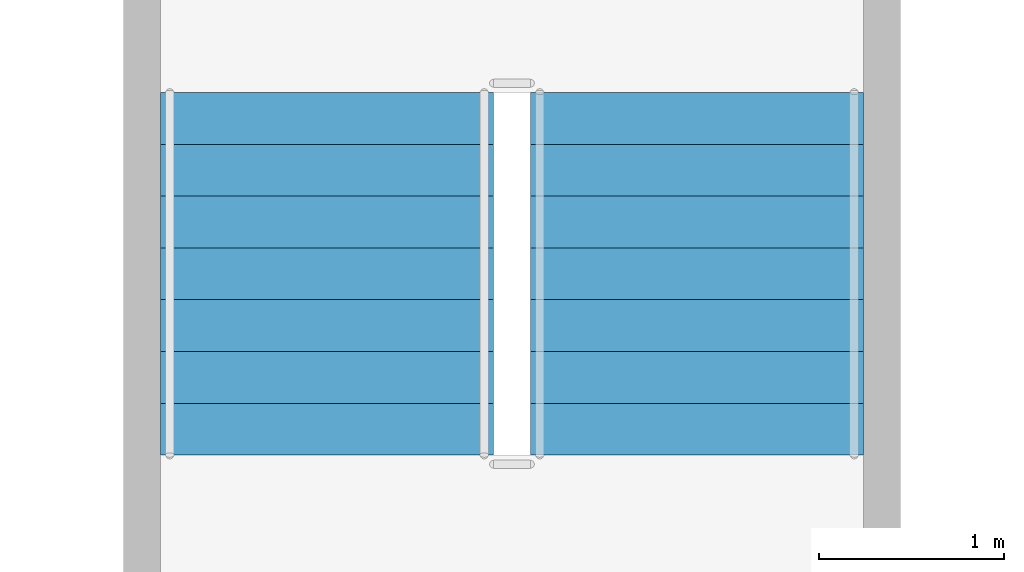
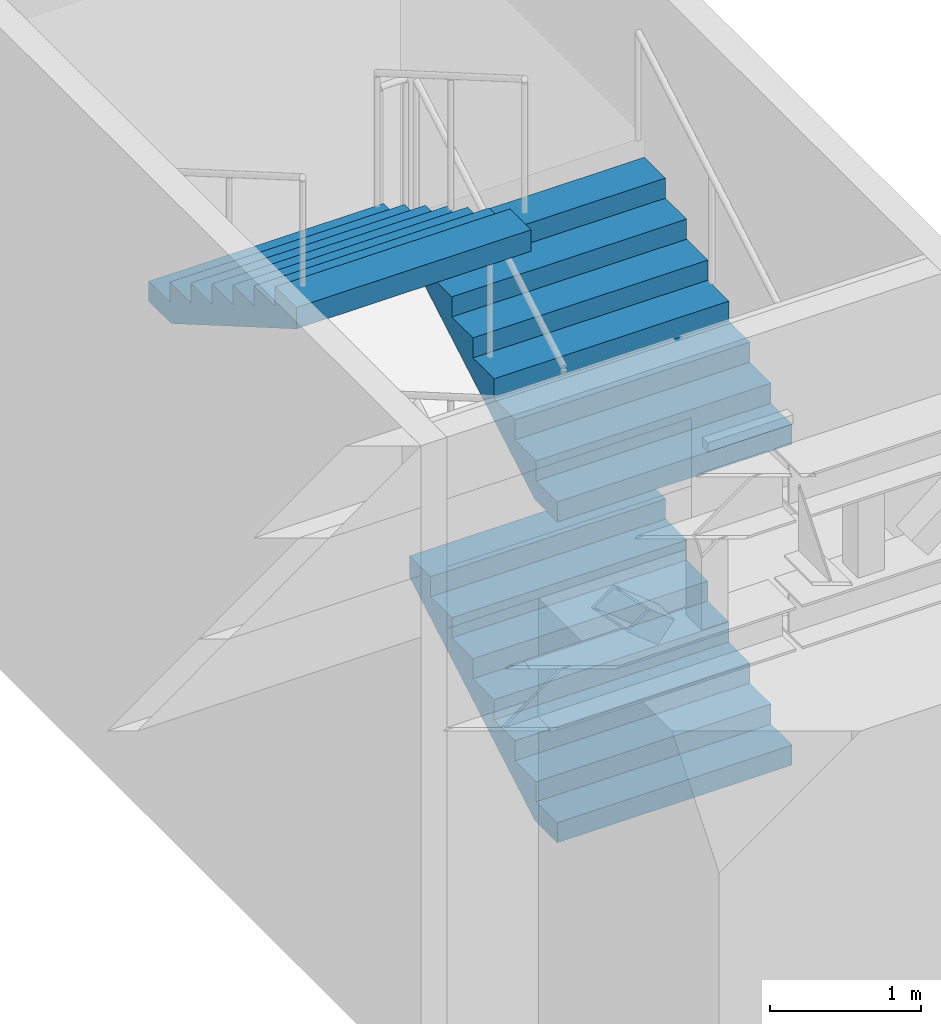
# One storey, part 73 of 93: 3 stair flights, 1 element without a shape of its own.
"""IFC4 building model written with IfcOpenShell, lengths in metres."""

from ifc_helpers import new_model, si_unit, direction, frame, origin, place, context, subcontext, project, spatial, polygons, material, type_object, element, aggregate, save


model = new_model("IFC4")

# Units and contexts
model_context = context("Model", 3, precision=1e-05, world=origin(), true_north=direction((0.0, 1.0)))
body_context = subcontext(model_context, "Body", "Model", "MODEL_VIEW")
ifc_project = project(units=[si_unit("LENGTHUNIT", "METRE"), si_unit("AREAUNIT", "SQUARE_METRE"), si_unit("VOLUMEUNIT", "CUBIC_METRE"), si_unit("PLANEANGLEUNIT", "RADIAN"), si_unit("MASSUNIT", "GRAM", prefix="KILO")], contexts=[model_context])

# Site, building, storey
site_placement = place(None, origin())
site = spatial("IfcSite", under=ifc_project, at=site_placement, CompositionType="ELEMENT")
building_placement = place(site_placement, origin())
building = spatial("IfcBuilding", under=site, at=building_placement, Name="Verrick Yard Athletic Hall", CompositionType="ELEMENT")
storey_placement = place(building_placement, frame((0.0, 0.0, 8.800048828125)))
storey = spatial("IfcBuildingStorey", under=building, at=storey_placement, Name="L02", CompositionType="ELEMENT", Elevation=8.800048828125)

# Stair, stair flights
ifc_material = material(Name="Concrete 35 MPa", Category="concrete")
stair_type = type_object("IfcStairType", Name="Stair ST4 1800 wide 32 risers", PredefinedType="HALF_TURN_STAIR", material=ifc_material)
stair_placement = place(storey_placement, origin())
stair = element("IfcStair", 1, at=stair_placement, inside=storey, type_object=stair_type, Name="North deck escape 3 stair L02", PredefinedType="HALF_TURN_STAIR")
stair_flight_type = type_object("IfcStairFlightType", Name="Stair flight SF4 1800 wide 8 risers", PredefinedType="STRAIGHT", material=ifc_material)
stair_flight_1_placement = place(storey_placement, frame((74.60009765625, 56.0, 0.0), z_axis=(0.0, 0.0, 1.0), x_axis=(0.0, 1.0, 0.0)))
stair_flight_1 = element("IfcStairFlight", 2, at=stair_flight_1_placement, type_object=stair_flight_type, Name="ST4 flight 1", NumberOfRisers=8, NumberOfTreads=7, PredefinedType="STRAIGHT", RiserHeight=0.1625, TreadLength=0.28, context=body_context, shape_type="Tessellation", body=[
    polygons([(0.2986404620805121, -0.89990234375, 0.0), (1.9600000000000002, -0.89990234375, 0.9641818746854172), (1.9600000000000002, -0.89990234375, 1.1375), (1.6800000000000002, -0.89990234375, 1.1375), (1.6800000000000002, -0.89990234375, 0.9750000000000001), (1.4000000000000001, -0.89990234375, 0.9750000000000001), (1.4000000000000001, -0.89990234375, 0.8125), (1.12, -0.89990234375, 0.8125), (1.12, -0.89990234375, 0.65), (0.8400000000000001, -0.89990234375, 0.65), (0.8400000000000001, -0.89990234375, 0.48750000000000004), (0.56, -0.89990234375, 0.48750000000000004), (0.56, -0.89990234375, 0.325), (0.28, -0.89990234375, 0.325), (0.28, -0.89990234375, 0.1625), (0.0, -0.89990234375, 0.1625), (0.0, -0.89990234375, 0.0), (0.2986404620805121, -0.179931640625, 0.0), (1.9600000000000002, -0.179931640625, 0.9641818746854172), (1.9600000000000002, -0.179931640625, 1.1375), (1.6800000000000002, -0.179931640625, 1.1375), (1.6800000000000002, -0.179931640625, 0.9750000000000001), (1.4000000000000001, -0.179931640625, 0.9750000000000001), (1.4000000000000001, -0.179931640625, 0.8125), (1.12, -0.179931640625, 0.8125), (1.12, -0.179931640625, 0.65), (0.8400000000000001, -0.179931640625, 0.65), (0.8400000000000001, -0.179931640625, 0.48750000000000004), (0.56, -0.179931640625, 0.48750000000000004), (0.56, -0.179931640625, 0.325), (0.28, -0.179931640625, 0.325), (0.28, -0.179931640625, 0.1625), (0.0, -0.179931640625, 0.1625), (0.0, -0.179931640625, 0.0), (0.2986404620805121, -0.1201171875, 0.0), (1.9600000000000002, -0.1201171875, 0.9641818746854172), (1.9600000000000002, -0.1201171875, 1.1375), (1.6800000000000002, -0.1201171875, 1.1375), (1.6800000000000002, -0.1201171875, 0.9750000000000001), (1.4000000000000001, -0.1201171875, 0.9750000000000001), (1.4000000000000001, -0.1201171875, 0.8125), (1.12, -0.1201171875, 0.8125), (1.12, -0.1201171875, 0.65), (0.8400000000000001, -0.1201171875, 0.65), (0.8400000000000001, -0.1201171875, 0.48750000000000004), (0.56, -0.1201171875, 0.48750000000000004), (0.56, -0.1201171875, 0.325), (0.28, -0.1201171875, 0.325), (0.28, -0.1201171875, 0.1625), (0.0, -0.1201171875, 0.1625), (0.0, -0.1201171875, 0.0), (0.2986404620805121, -0.06005859375, 0.0), (1.9600000000000002, -0.06005859375, 0.9641818746854172), (1.9600000000000002, -0.06005859375, 1.1375), (1.6800000000000002, -0.06005859375, 1.1375), (1.6800000000000002, -0.06005859375, 0.9750000000000001), (1.4000000000000001, -0.06005859375, 0.9750000000000001), (1.4000000000000001, -0.06005859375, 0.8125), (1.12, -0.06005859375, 0.8125), (1.12, -0.06005859375, 0.65), (0.8400000000000001, -0.06005859375, 0.65), (0.8400000000000001, -0.06005859375, 0.48750000000000004), (0.56, -0.06005859375, 0.48750000000000004), (0.56, -0.06005859375, 0.325), (0.28, -0.06005859375, 0.325), (0.28, -0.06005859375, 0.1625), (0.0, -0.06005859375, 0.1625), (0.0, -0.06005859375, 0.0), (0.2986404620805121, 0.0, 0.0), (1.9600000000000002, 0.0, 0.9641818746854172), (1.9600000000000002, 0.0, 1.1375), (1.6800000000000002, 0.0, 1.1375), (1.6800000000000002, 0.0, 0.9750000000000001), (1.4000000000000001, 0.0, 0.9750000000000001), (1.4000000000000001, 0.0, 0.8125), (1.12, 0.0, 0.8125), (1.12, 0.0, 0.65), (0.8400000000000001, 0.0, 0.65), (0.8400000000000001, 0.0, 0.48750000000000004), (0.56, 0.0, 0.48750000000000004), (0.56, 0.0, 0.325), (0.28, 0.0, 0.325), (0.28, 0.0, 0.1625), (0.0, 0.0, 0.1625), (0.0, 0.0, 0.0), (0.2986404620805121, 0.06005859375, 0.0), (1.9600000000000002, 0.06005859375, 0.9641818746854172), (1.9600000000000002, 0.06005859375, 1.1375), (1.6800000000000002, 0.06005859375, 1.1375), (1.6800000000000002, 0.06005859375, 0.9750000000000001), (1.4000000000000001, 0.06005859375, 0.9750000000000001), (1.4000000000000001, 0.06005859375, 0.8125), (1.12, 0.06005859375, 0.8125), (1.12, 0.06005859375, 0.65), (0.8400000000000001, 0.06005859375, 0.65), (0.8400000000000001, 0.06005859375, 0.48750000000000004), (0.56, 0.06005859375, 0.48750000000000004), (0.56, 0.06005859375, 0.325), (0.28, 0.06005859375, 0.325), (0.28, 0.06005859375, 0.1625), (0.0, 0.06005859375, 0.1625), (0.0, 0.06005859375, 0.0), (0.2986404620805121, 0.1201171875, 0.0), (1.9600000000000002, 0.1201171875, 0.9641818746854172), (1.9600000000000002, 0.1201171875, 1.1375), (1.6800000000000002, 0.1201171875, 1.1375), (1.6800000000000002, 0.1201171875, 0.9750000000000001), (1.4000000000000001, 0.1201171875, 0.9750000000000001), (1.4000000000000001, 0.1201171875, 0.8125), (1.12, 0.1201171875, 0.8125), (1.12, 0.1201171875, 0.65), (0.8400000000000001, 0.1201171875, 0.65), (0.8400000000000001, 0.1201171875, 0.48750000000000004), (0.56, 0.1201171875, 0.48750000000000004), (0.56, 0.1201171875, 0.325), (0.28, 0.1201171875, 0.325), (0.28, 0.1201171875, 0.1625), (0.0, 0.1201171875, 0.1625), (0.0, 0.1201171875, 0.0), (0.2986404620805121, 0.179931640625, 0.0), (1.9600000000000002, 0.179931640625, 0.9641818746854172), (1.9600000000000002, 0.179931640625, 1.1375), (1.6800000000000002, 0.179931640625, 1.1375), (1.6800000000000002, 0.179931640625, 0.9750000000000001), (1.4000000000000001, 0.179931640625, 0.9750000000000001), (1.4000000000000001, 0.179931640625, 0.8125), (1.12, 0.179931640625, 0.8125), (1.12, 0.179931640625, 0.65), (0.8400000000000001, 0.179931640625, 0.65), (0.8400000000000001, 0.179931640625, 0.48750000000000004), (0.56, 0.179931640625, 0.48750000000000004), (0.56, 0.179931640625, 0.325), (0.28, 0.179931640625, 0.325), (0.28, 0.179931640625, 0.1625), (0.0, 0.179931640625, 0.1625), (0.0, 0.179931640625, 0.0), (0.2986404620805121, 0.89990234375, 0.0), (1.9600000000000002, 0.89990234375, 0.9641818746854172), (1.9600000000000002, 0.89990234375, 1.1375), (1.6800000000000002, 0.89990234375, 1.1375), (1.6800000000000002, 0.89990234375, 0.9750000000000001), (1.4000000000000001, 0.89990234375, 0.9750000000000001), (1.4000000000000001, 0.89990234375, 0.8125), (1.12, 0.89990234375, 0.8125), (1.12, 0.89990234375, 0.65), (0.8400000000000001, 0.89990234375, 0.65), (0.8400000000000001, 0.89990234375, 0.48750000000000004), (0.56, 0.89990234375, 0.48750000000000004), (0.56, 0.89990234375, 0.325), (0.28, 0.89990234375, 0.325), (0.28, 0.89990234375, 0.1625), (0.0, 0.89990234375, 0.1625), (0.0, 0.89990234375, 0.0)], [[[1, 2, 3, 4, 5, 6, 7, 8, 9, 10, 11, 12, 13, 14, 15, 16, 17]], [[153, 152, 151, 150, 149, 148, 147, 146, 145, 144, 143, 142, 141, 140, 139, 138, 137]], [[1, 18, 19, 2]], [[2, 19, 20, 3]], [[3, 20, 21, 4]], [[4, 21, 22, 5]], [[5, 22, 23, 6]], [[6, 23, 24, 7]], [[7, 24, 25, 8]], [[8, 25, 26, 9]], [[9, 26, 27, 10]], [[10, 27, 28, 11]], [[11, 28, 29, 12]], [[12, 29, 30, 13]], [[13, 30, 31, 14]], [[14, 31, 32, 15]], [[15, 32, 33, 16]], [[16, 33, 34, 17]], [[17, 34, 18, 1]], [[18, 35, 36, 19]], [[19, 36, 37, 20]], [[20, 37, 38, 21]], [[21, 38, 39, 22]], [[22, 39, 40, 23]], [[23, 40, 41, 24]], [[24, 41, 42, 25]], [[25, 42, 43, 26]], [[26, 43, 44, 27]], [[27, 44, 45, 28]], [[28, 45, 46, 29]], [[29, 46, 47, 30]], [[30, 47, 48, 31]], [[31, 48, 49, 32]], [[32, 49, 50, 33]], [[33, 50, 51, 34]], [[34, 51, 35, 18]], [[35, 52, 53, 36]], [[36, 53, 54, 37]], [[37, 54, 55, 38]], [[38, 55, 56, 39]], [[39, 56, 57, 40]], [[40, 57, 58, 41]], [[41, 58, 59, 42]], [[42, 59, 60, 43]], [[43, 60, 61, 44]], [[44, 61, 62, 45]], [[45, 62, 63, 46]], [[46, 63, 64, 47]], [[47, 64, 65, 48]], [[48, 65, 66, 49]], [[49, 66, 67, 50]], [[50, 67, 68, 51]], [[51, 68, 52, 35]], [[52, 69, 70, 53]], [[53, 70, 71, 54]], [[54, 71, 72, 55]], [[55, 72, 73, 56]], [[56, 73, 74, 57]], [[57, 74, 75, 58]], [[58, 75, 76, 59]], [[59, 76, 77, 60]], [[60, 77, 78, 61]], [[61, 78, 79, 62]], [[62, 79, 80, 63]], [[63, 80, 81, 64]], [[64, 81, 82, 65]], [[65, 82, 83, 66]], [[66, 83, 84, 67]], [[67, 84, 85, 68]], [[68, 85, 69, 52]], [[69, 86, 87, 70]], [[70, 87, 88, 71]], [[71, 88, 89, 72]], [[72, 89, 90, 73]], [[73, 90, 91, 74]], [[74, 91, 92, 75]], [[75, 92, 93, 76]], [[76, 93, 94, 77]], [[77, 94, 95, 78]], [[78, 95, 96, 79]], [[79, 96, 97, 80]], [[80, 97, 98, 81]], [[81, 98, 99, 82]], [[82, 99, 100, 83]], [[83, 100, 101, 84]], [[84, 101, 102, 85]], [[85, 102, 86, 69]], [[86, 103, 104, 87]], [[87, 104, 105, 88]], [[88, 105, 106, 89]], [[89, 106, 107, 90]], [[90, 107, 108, 91]], [[91, 108, 109, 92]], [[92, 109, 110, 93]], [[93, 110, 111, 94]], [[94, 111, 112, 95]], [[95, 112, 113, 96]], [[96, 113, 114, 97]], [[97, 114, 115, 98]], [[98, 115, 116, 99]], [[99, 116, 117, 100]], [[100, 117, 118, 101]], [[101, 118, 119, 102]], [[102, 119, 103, 86]], [[103, 120, 121, 104]], [[104, 121, 122, 105]], [[105, 122, 123, 106]], [[106, 123, 124, 107]], [[107, 124, 125, 108]], [[108, 125, 126, 109]], [[109, 126, 127, 110]], [[110, 127, 128, 111]], [[111, 128, 129, 112]], [[112, 129, 130, 113]], [[113, 130, 131, 114]], [[114, 131, 132, 115]], [[115, 132, 133, 116]], [[116, 133, 134, 117]], [[117, 134, 135, 118]], [[118, 135, 136, 119]], [[119, 136, 120, 103]], [[120, 137, 138, 121]], [[121, 138, 139, 122]], [[122, 139, 140, 123]], [[123, 140, 141, 124]], [[124, 141, 142, 125]], [[125, 142, 143, 126]], [[126, 143, 144, 127]], [[127, 144, 145, 128]], [[128, 145, 146, 129]], [[129, 146, 147, 130]], [[130, 147, 148, 131]], [[131, 148, 149, 132]], [[132, 149, 150, 133]], [[133, 150, 151, 134]], [[134, 151, 152, 135]], [[135, 152, 153, 136]], [[136, 153, 137, 120]]], closed=True),
])
stair_flight_2_placement = place(storey_placement, frame((74.60009765625, 56.0, 2.599853515625), z_axis=(0.0, 0.0, 1.0), x_axis=(0.0, 1.0, 0.0)))
stair_flight_2 = element("IfcStairFlight", 3, at=stair_flight_2_placement, type_object=stair_flight_type, Name="ST4 flight 3", NumberOfRisers=8, NumberOfTreads=7, PredefinedType="STRAIGHT", RiserHeight=0.1625, TreadLength=0.28, context=body_context, shape_type="Tessellation", body=[
    polygons([(0.2986404620805121, -0.89990234375, 0.0), (1.9600000000000002, -0.89990234375, 0.9641818746854172), (1.9600000000000002, -0.89990234375, 1.1375), (1.6800000000000002, -0.89990234375, 1.1375), (1.6800000000000002, -0.89990234375, 0.9750000000000001), (1.4000000000000001, -0.89990234375, 0.9750000000000001), (1.4000000000000001, -0.89990234375, 0.8125), (1.12, -0.89990234375, 0.8125), (1.12, -0.89990234375, 0.65), (0.8400000000000001, -0.89990234375, 0.65), (0.8400000000000001, -0.89990234375, 0.48750000000000004), (0.56, -0.89990234375, 0.48750000000000004), (0.56, -0.89990234375, 0.325), (0.28, -0.89990234375, 0.325), (0.28, -0.89990234375, 0.1625), (0.0, -0.89990234375, 0.1625), (0.0, -0.89990234375, 0.0), (0.2986404620805121, -0.179931640625, 0.0), (1.9600000000000002, -0.179931640625, 0.9641818746854172), (1.9600000000000002, -0.179931640625, 1.1375), (1.6800000000000002, -0.179931640625, 1.1375), (1.6800000000000002, -0.179931640625, 0.9750000000000001), (1.4000000000000001, -0.179931640625, 0.9750000000000001), (1.4000000000000001, -0.179931640625, 0.8125), (1.12, -0.179931640625, 0.8125), (1.12, -0.179931640625, 0.65), (0.8400000000000001, -0.179931640625, 0.65), (0.8400000000000001, -0.179931640625, 0.48750000000000004), (0.56, -0.179931640625, 0.48750000000000004), (0.56, -0.179931640625, 0.325), (0.28, -0.179931640625, 0.325), (0.28, -0.179931640625, 0.1625), (0.0, -0.179931640625, 0.1625), (0.0, -0.179931640625, 0.0), (0.2986404620805121, -0.1201171875, 0.0), (1.9600000000000002, -0.1201171875, 0.9641818746854172), (1.9600000000000002, -0.1201171875, 1.1375), (1.6800000000000002, -0.1201171875, 1.1375), (1.6800000000000002, -0.1201171875, 0.9750000000000001), (1.4000000000000001, -0.1201171875, 0.9750000000000001), (1.4000000000000001, -0.1201171875, 0.8125), (1.12, -0.1201171875, 0.8125), (1.12, -0.1201171875, 0.65), (0.8400000000000001, -0.1201171875, 0.65), (0.8400000000000001, -0.1201171875, 0.48750000000000004), (0.56, -0.1201171875, 0.48750000000000004), (0.56, -0.1201171875, 0.325), (0.28, -0.1201171875, 0.325), (0.28, -0.1201171875, 0.1625), (0.0, -0.1201171875, 0.1625), (0.0, -0.1201171875, 0.0), (0.2986404620805121, -0.06005859375, 0.0), (1.9600000000000002, -0.06005859375, 0.9641818746854172), (1.9600000000000002, -0.06005859375, 1.1375), (1.6800000000000002, -0.06005859375, 1.1375), (1.6800000000000002, -0.06005859375, 0.9750000000000001), (1.4000000000000001, -0.06005859375, 0.9750000000000001), (1.4000000000000001, -0.06005859375, 0.8125), (1.12, -0.06005859375, 0.8125), (1.12, -0.06005859375, 0.65), (0.8400000000000001, -0.06005859375, 0.65), (0.8400000000000001, -0.06005859375, 0.48750000000000004), (0.56, -0.06005859375, 0.48750000000000004), (0.56, -0.06005859375, 0.325), (0.28, -0.06005859375, 0.325), (0.28, -0.06005859375, 0.1625), (0.0, -0.06005859375, 0.1625), (0.0, -0.06005859375, 0.0), (0.2986404620805121, 0.0, 0.0), (1.9600000000000002, 0.0, 0.9641818746854172), (1.9600000000000002, 0.0, 1.1375), (1.6800000000000002, 0.0, 1.1375), (1.6800000000000002, 0.0, 0.9750000000000001), (1.4000000000000001, 0.0, 0.9750000000000001), (1.4000000000000001, 0.0, 0.8125), (1.12, 0.0, 0.8125), (1.12, 0.0, 0.65), (0.8400000000000001, 0.0, 0.65), (0.8400000000000001, 0.0, 0.48750000000000004), (0.56, 0.0, 0.48750000000000004), (0.56, 0.0, 0.325), (0.28, 0.0, 0.325), (0.28, 0.0, 0.1625), (0.0, 0.0, 0.1625), (0.0, 0.0, 0.0), (0.2986404620805121, 0.06005859375, 0.0), (1.9600000000000002, 0.06005859375, 0.9641818746854172), (1.9600000000000002, 0.06005859375, 1.1375), (1.6800000000000002, 0.06005859375, 1.1375), (1.6800000000000002, 0.06005859375, 0.9750000000000001), (1.4000000000000001, 0.06005859375, 0.9750000000000001), (1.4000000000000001, 0.06005859375, 0.8125), (1.12, 0.06005859375, 0.8125), (1.12, 0.06005859375, 0.65), (0.8400000000000001, 0.06005859375, 0.65), (0.8400000000000001, 0.06005859375, 0.48750000000000004), (0.56, 0.06005859375, 0.48750000000000004), (0.56, 0.06005859375, 0.325), (0.28, 0.06005859375, 0.325), (0.28, 0.06005859375, 0.1625), (0.0, 0.06005859375, 0.1625), (0.0, 0.06005859375, 0.0), (0.2986404620805121, 0.1201171875, 0.0), (1.9600000000000002, 0.1201171875, 0.9641818746854172), (1.9600000000000002, 0.1201171875, 1.1375), (1.6800000000000002, 0.1201171875, 1.1375), (1.6800000000000002, 0.1201171875, 0.9750000000000001), (1.4000000000000001, 0.1201171875, 0.9750000000000001), (1.4000000000000001, 0.1201171875, 0.8125), (1.12, 0.1201171875, 0.8125), (1.12, 0.1201171875, 0.65), (0.8400000000000001, 0.1201171875, 0.65), (0.8400000000000001, 0.1201171875, 0.48750000000000004), (0.56, 0.1201171875, 0.48750000000000004), (0.56, 0.1201171875, 0.325), (0.28, 0.1201171875, 0.325), (0.28, 0.1201171875, 0.1625), (0.0, 0.1201171875, 0.1625), (0.0, 0.1201171875, 0.0), (0.2986404620805121, 0.179931640625, 0.0), (1.9600000000000002, 0.179931640625, 0.9641818746854172), (1.9600000000000002, 0.179931640625, 1.1375), (1.6800000000000002, 0.179931640625, 1.1375), (1.6800000000000002, 0.179931640625, 0.9750000000000001), (1.4000000000000001, 0.179931640625, 0.9750000000000001), (1.4000000000000001, 0.179931640625, 0.8125), (1.12, 0.179931640625, 0.8125), (1.12, 0.179931640625, 0.65), (0.8400000000000001, 0.179931640625, 0.65), (0.8400000000000001, 0.179931640625, 0.48750000000000004), (0.56, 0.179931640625, 0.48750000000000004), (0.56, 0.179931640625, 0.325), (0.28, 0.179931640625, 0.325), (0.28, 0.179931640625, 0.1625), (0.0, 0.179931640625, 0.1625), (0.0, 0.179931640625, 0.0), (0.2986404620805121, 0.89990234375, 0.0), (1.9600000000000002, 0.89990234375, 0.9641818746854172), (1.9600000000000002, 0.89990234375, 1.1375), (1.6800000000000002, 0.89990234375, 1.1375), (1.6800000000000002, 0.89990234375, 0.9750000000000001), (1.4000000000000001, 0.89990234375, 0.9750000000000001), (1.4000000000000001, 0.89990234375, 0.8125), (1.12, 0.89990234375, 0.8125), (1.12, 0.89990234375, 0.65), (0.8400000000000001, 0.89990234375, 0.65), (0.8400000000000001, 0.89990234375, 0.48750000000000004), (0.56, 0.89990234375, 0.48750000000000004), (0.56, 0.89990234375, 0.325), (0.28, 0.89990234375, 0.325), (0.28, 0.89990234375, 0.1625), (0.0, 0.89990234375, 0.1625), (0.0, 0.89990234375, 0.0)], [[[1, 2, 3, 4, 5, 6, 7, 8, 9, 10, 11, 12, 13, 14, 15, 16, 17]], [[153, 152, 151, 150, 149, 148, 147, 146, 145, 144, 143, 142, 141, 140, 139, 138, 137]], [[1, 18, 19, 2]], [[2, 19, 20, 3]], [[3, 20, 21, 4]], [[4, 21, 22, 5]], [[5, 22, 23, 6]], [[6, 23, 24, 7]], [[7, 24, 25, 8]], [[8, 25, 26, 9]], [[9, 26, 27, 10]], [[10, 27, 28, 11]], [[11, 28, 29, 12]], [[12, 29, 30, 13]], [[13, 30, 31, 14]], [[14, 31, 32, 15]], [[15, 32, 33, 16]], [[16, 33, 34, 17]], [[17, 34, 18, 1]], [[18, 35, 36, 19]], [[19, 36, 37, 20]], [[20, 37, 38, 21]], [[21, 38, 39, 22]], [[22, 39, 40, 23]], [[23, 40, 41, 24]], [[24, 41, 42, 25]], [[25, 42, 43, 26]], [[26, 43, 44, 27]], [[27, 44, 45, 28]], [[28, 45, 46, 29]], [[29, 46, 47, 30]], [[30, 47, 48, 31]], [[31, 48, 49, 32]], [[32, 49, 50, 33]], [[33, 50, 51, 34]], [[34, 51, 35, 18]], [[35, 52, 53, 36]], [[36, 53, 54, 37]], [[37, 54, 55, 38]], [[38, 55, 56, 39]], [[39, 56, 57, 40]], [[40, 57, 58, 41]], [[41, 58, 59, 42]], [[42, 59, 60, 43]], [[43, 60, 61, 44]], [[44, 61, 62, 45]], [[45, 62, 63, 46]], [[46, 63, 64, 47]], [[47, 64, 65, 48]], [[48, 65, 66, 49]], [[49, 66, 67, 50]], [[50, 67, 68, 51]], [[51, 68, 52, 35]], [[52, 69, 70, 53]], [[53, 70, 71, 54]], [[54, 71, 72, 55]], [[55, 72, 73, 56]], [[56, 73, 74, 57]], [[57, 74, 75, 58]], [[58, 75, 76, 59]], [[59, 76, 77, 60]], [[60, 77, 78, 61]], [[61, 78, 79, 62]], [[62, 79, 80, 63]], [[63, 80, 81, 64]], [[64, 81, 82, 65]], [[65, 82, 83, 66]], [[66, 83, 84, 67]], [[67, 84, 85, 68]], [[68, 85, 69, 52]], [[69, 86, 87, 70]], [[70, 87, 88, 71]], [[71, 88, 89, 72]], [[72, 89, 90, 73]], [[73, 90, 91, 74]], [[74, 91, 92, 75]], [[75, 92, 93, 76]], [[76, 93, 94, 77]], [[77, 94, 95, 78]], [[78, 95, 96, 79]], [[79, 96, 97, 80]], [[80, 97, 98, 81]], [[81, 98, 99, 82]], [[82, 99, 100, 83]], [[83, 100, 101, 84]], [[84, 101, 102, 85]], [[85, 102, 86, 69]], [[86, 103, 104, 87]], [[87, 104, 105, 88]], [[88, 105, 106, 89]], [[89, 106, 107, 90]], [[90, 107, 108, 91]], [[91, 108, 109, 92]], [[92, 109, 110, 93]], [[93, 110, 111, 94]], [[94, 111, 112, 95]], [[95, 112, 113, 96]], [[96, 113, 114, 97]], [[97, 114, 115, 98]], [[98, 115, 116, 99]], [[99, 116, 117, 100]], [[100, 117, 118, 101]], [[101, 118, 119, 102]], [[102, 119, 103, 86]], [[103, 120, 121, 104]], [[104, 121, 122, 105]], [[105, 122, 123, 106]], [[106, 123, 124, 107]], [[107, 124, 125, 108]], [[108, 125, 126, 109]], [[109, 126, 127, 110]], [[110, 127, 128, 111]], [[111, 128, 129, 112]], [[112, 129, 130, 113]], [[113, 130, 131, 114]], [[114, 131, 132, 115]], [[115, 132, 133, 116]], [[116, 133, 134, 117]], [[117, 134, 135, 118]], [[118, 135, 136, 119]], [[119, 136, 120, 103]], [[120, 137, 138, 121]], [[121, 138, 139, 122]], [[122, 139, 140, 123]], [[123, 140, 141, 124]], [[124, 141, 142, 125]], [[125, 142, 143, 126]], [[126, 143, 144, 127]], [[127, 144, 145, 128]], [[128, 145, 146, 129]], [[129, 146, 147, 130]], [[130, 147, 148, 131]], [[131, 148, 149, 132]], [[132, 149, 150, 133]], [[133, 150, 151, 134]], [[134, 151, 152, 135]], [[135, 152, 153, 136]], [[136, 153, 137, 120]]], closed=True),
])
stair_flight_3_placement = place(storey_placement, frame((72.60009765625, 57.9599609375, 3.89990234375), z_axis=(0.0, 0.0, 1.0), x_axis=(0.0, -1.0, 0.0)))
stair_flight_3 = element("IfcStairFlight", 4, at=stair_flight_3_placement, type_object=stair_flight_type, Name="ST4 flight 4", NumberOfRisers=8, NumberOfTreads=7, PredefinedType="STRAIGHT", RiserHeight=0.1625, TreadLength=0.28, context=body_context, shape_type="Tessellation", body=[
    polygons([(0.2986404620805121, -0.89990234375, 0.0), (1.9600000000000002, -0.89990234375, 0.9641818746854172), (1.9600000000000002, -0.89990234375, 1.1375), (1.6800000000000002, -0.89990234375, 1.1375), (1.6800000000000002, -0.89990234375, 0.9750000000000001), (1.4000000000000001, -0.89990234375, 0.9750000000000001), (1.4000000000000001, -0.89990234375, 0.8125), (1.12, -0.89990234375, 0.8125), (1.12, -0.89990234375, 0.65), (0.8400000000000001, -0.89990234375, 0.65), (0.8400000000000001, -0.89990234375, 0.48750000000000004), (0.56, -0.89990234375, 0.48750000000000004), (0.56, -0.89990234375, 0.325), (0.28, -0.89990234375, 0.325), (0.28, -0.89990234375, 0.1625), (0.0, -0.89990234375, 0.1625), (0.0, -0.89990234375, 0.0), (0.2986404620805121, -0.179931640625, 0.0), (1.9600000000000002, -0.179931640625, 0.9641818746854172), (1.9600000000000002, -0.179931640625, 1.1375), (1.6800000000000002, -0.179931640625, 1.1375), (1.6800000000000002, -0.179931640625, 0.9750000000000001), (1.4000000000000001, -0.179931640625, 0.9750000000000001), (1.4000000000000001, -0.179931640625, 0.8125), (1.12, -0.179931640625, 0.8125), (1.12, -0.179931640625, 0.65), (0.8400000000000001, -0.179931640625, 0.65), (0.8400000000000001, -0.179931640625, 0.48750000000000004), (0.56, -0.179931640625, 0.48750000000000004), (0.56, -0.179931640625, 0.325), (0.28, -0.179931640625, 0.325), (0.28, -0.179931640625, 0.1625), (0.0, -0.179931640625, 0.1625), (0.0, -0.179931640625, 0.0), (0.2986404620805121, -0.1201171875, 0.0), (1.9600000000000002, -0.1201171875, 0.9641818746854172), (1.9600000000000002, -0.1201171875, 1.1375), (1.6800000000000002, -0.1201171875, 1.1375), (1.6800000000000002, -0.1201171875, 0.9750000000000001), (1.4000000000000001, -0.1201171875, 0.9750000000000001), (1.4000000000000001, -0.1201171875, 0.8125), (1.12, -0.1201171875, 0.8125), (1.12, -0.1201171875, 0.65), (0.8400000000000001, -0.1201171875, 0.65), (0.8400000000000001, -0.1201171875, 0.48750000000000004), (0.56, -0.1201171875, 0.48750000000000004), (0.56, -0.1201171875, 0.325), (0.28, -0.1201171875, 0.325), (0.28, -0.1201171875, 0.1625), (0.0, -0.1201171875, 0.1625), (0.0, -0.1201171875, 0.0), (0.2986404620805121, -0.06005859375, 0.0), (1.9600000000000002, -0.06005859375, 0.9641818746854172), (1.9600000000000002, -0.06005859375, 1.1375), (1.6800000000000002, -0.06005859375, 1.1375), (1.6800000000000002, -0.06005859375, 0.9750000000000001), (1.4000000000000001, -0.06005859375, 0.9750000000000001), (1.4000000000000001, -0.06005859375, 0.8125), (1.12, -0.06005859375, 0.8125), (1.12, -0.06005859375, 0.65), (0.8400000000000001, -0.06005859375, 0.65), (0.8400000000000001, -0.06005859375, 0.48750000000000004), (0.56, -0.06005859375, 0.48750000000000004), (0.56, -0.06005859375, 0.325), (0.28, -0.06005859375, 0.325), (0.28, -0.06005859375, 0.1625), (0.0, -0.06005859375, 0.1625), (0.0, -0.06005859375, 0.0), (0.2986404620805121, 0.0, 0.0), (1.9600000000000002, 0.0, 0.9641818746854172), (1.9600000000000002, 0.0, 1.1375), (1.6800000000000002, 0.0, 1.1375), (1.6800000000000002, 0.0, 0.9750000000000001), (1.4000000000000001, 0.0, 0.9750000000000001), (1.4000000000000001, 0.0, 0.8125), (1.12, 0.0, 0.8125), (1.12, 0.0, 0.65), (0.8400000000000001, 0.0, 0.65), (0.8400000000000001, 0.0, 0.48750000000000004), (0.56, 0.0, 0.48750000000000004), (0.56, 0.0, 0.325), (0.28, 0.0, 0.325), (0.28, 0.0, 0.1625), (0.0, 0.0, 0.1625), (0.0, 0.0, 0.0), (0.2986404620805121, 0.06005859375, 0.0), (1.9600000000000002, 0.06005859375, 0.9641818746854172), (1.9600000000000002, 0.06005859375, 1.1375), (1.6800000000000002, 0.06005859375, 1.1375), (1.6800000000000002, 0.06005859375, 0.9750000000000001), (1.4000000000000001, 0.06005859375, 0.9750000000000001), (1.4000000000000001, 0.06005859375, 0.8125), (1.12, 0.06005859375, 0.8125), (1.12, 0.06005859375, 0.65), (0.8400000000000001, 0.06005859375, 0.65), (0.8400000000000001, 0.06005859375, 0.48750000000000004), (0.56, 0.06005859375, 0.48750000000000004), (0.56, 0.06005859375, 0.325), (0.28, 0.06005859375, 0.325), (0.28, 0.06005859375, 0.1625), (0.0, 0.06005859375, 0.1625), (0.0, 0.06005859375, 0.0), (0.2986404620805121, 0.1201171875, 0.0), (1.9600000000000002, 0.1201171875, 0.9641818746854172), (1.9600000000000002, 0.1201171875, 1.1375), (1.6800000000000002, 0.1201171875, 1.1375), (1.6800000000000002, 0.1201171875, 0.9750000000000001), (1.4000000000000001, 0.1201171875, 0.9750000000000001), (1.4000000000000001, 0.1201171875, 0.8125), (1.12, 0.1201171875, 0.8125), (1.12, 0.1201171875, 0.65), (0.8400000000000001, 0.1201171875, 0.65), (0.8400000000000001, 0.1201171875, 0.48750000000000004), (0.56, 0.1201171875, 0.48750000000000004), (0.56, 0.1201171875, 0.325), (0.28, 0.1201171875, 0.325), (0.28, 0.1201171875, 0.1625), (0.0, 0.1201171875, 0.1625), (0.0, 0.1201171875, 0.0), (0.2986404620805121, 0.179931640625, 0.0), (1.9600000000000002, 0.179931640625, 0.9641818746854172), (1.9600000000000002, 0.179931640625, 1.1375), (1.6800000000000002, 0.179931640625, 1.1375), (1.6800000000000002, 0.179931640625, 0.9750000000000001), (1.4000000000000001, 0.179931640625, 0.9750000000000001), (1.4000000000000001, 0.179931640625, 0.8125), (1.12, 0.179931640625, 0.8125), (1.12, 0.179931640625, 0.65), (0.8400000000000001, 0.179931640625, 0.65), (0.8400000000000001, 0.179931640625, 0.48750000000000004), (0.56, 0.179931640625, 0.48750000000000004), (0.56, 0.179931640625, 0.325), (0.28, 0.179931640625, 0.325), (0.28, 0.179931640625, 0.1625), (0.0, 0.179931640625, 0.1625), (0.0, 0.179931640625, 0.0), (0.2986404620805121, 0.89990234375, 0.0), (1.9600000000000002, 0.89990234375, 0.9641818746854172), (1.9600000000000002, 0.89990234375, 1.1375), (1.6800000000000002, 0.89990234375, 1.1375), (1.6800000000000002, 0.89990234375, 0.9750000000000001), (1.4000000000000001, 0.89990234375, 0.9750000000000001), (1.4000000000000001, 0.89990234375, 0.8125), (1.12, 0.89990234375, 0.8125), (1.12, 0.89990234375, 0.65), (0.8400000000000001, 0.89990234375, 0.65), (0.8400000000000001, 0.89990234375, 0.48750000000000004), (0.56, 0.89990234375, 0.48750000000000004), (0.56, 0.89990234375, 0.325), (0.28, 0.89990234375, 0.325), (0.28, 0.89990234375, 0.1625), (0.0, 0.89990234375, 0.1625), (0.0, 0.89990234375, 0.0)], [[[1, 2, 3, 4, 5, 6, 7, 8, 9, 10, 11, 12, 13, 14, 15, 16, 17]], [[153, 152, 151, 150, 149, 148, 147, 146, 145, 144, 143, 142, 141, 140, 139, 138, 137]], [[1, 18, 19, 2]], [[2, 19, 20, 3]], [[3, 20, 21, 4]], [[4, 21, 22, 5]], [[5, 22, 23, 6]], [[6, 23, 24, 7]], [[7, 24, 25, 8]], [[8, 25, 26, 9]], [[9, 26, 27, 10]], [[10, 27, 28, 11]], [[11, 28, 29, 12]], [[12, 29, 30, 13]], [[13, 30, 31, 14]], [[14, 31, 32, 15]], [[15, 32, 33, 16]], [[16, 33, 34, 17]], [[17, 34, 18, 1]], [[18, 35, 36, 19]], [[19, 36, 37, 20]], [[20, 37, 38, 21]], [[21, 38, 39, 22]], [[22, 39, 40, 23]], [[23, 40, 41, 24]], [[24, 41, 42, 25]], [[25, 42, 43, 26]], [[26, 43, 44, 27]], [[27, 44, 45, 28]], [[28, 45, 46, 29]], [[29, 46, 47, 30]], [[30, 47, 48, 31]], [[31, 48, 49, 32]], [[32, 49, 50, 33]], [[33, 50, 51, 34]], [[34, 51, 35, 18]], [[35, 52, 53, 36]], [[36, 53, 54, 37]], [[37, 54, 55, 38]], [[38, 55, 56, 39]], [[39, 56, 57, 40]], [[40, 57, 58, 41]], [[41, 58, 59, 42]], [[42, 59, 60, 43]], [[43, 60, 61, 44]], [[44, 61, 62, 45]], [[45, 62, 63, 46]], [[46, 63, 64, 47]], [[47, 64, 65, 48]], [[48, 65, 66, 49]], [[49, 66, 67, 50]], [[50, 67, 68, 51]], [[51, 68, 52, 35]], [[52, 69, 70, 53]], [[53, 70, 71, 54]], [[54, 71, 72, 55]], [[55, 72, 73, 56]], [[56, 73, 74, 57]], [[57, 74, 75, 58]], [[58, 75, 76, 59]], [[59, 76, 77, 60]], [[60, 77, 78, 61]], [[61, 78, 79, 62]], [[62, 79, 80, 63]], [[63, 80, 81, 64]], [[64, 81, 82, 65]], [[65, 82, 83, 66]], [[66, 83, 84, 67]], [[67, 84, 85, 68]], [[68, 85, 69, 52]], [[69, 86, 87, 70]], [[70, 87, 88, 71]], [[71, 88, 89, 72]], [[72, 89, 90, 73]], [[73, 90, 91, 74]], [[74, 91, 92, 75]], [[75, 92, 93, 76]], [[76, 93, 94, 77]], [[77, 94, 95, 78]], [[78, 95, 96, 79]], [[79, 96, 97, 80]], [[80, 97, 98, 81]], [[81, 98, 99, 82]], [[82, 99, 100, 83]], [[83, 100, 101, 84]], [[84, 101, 102, 85]], [[85, 102, 86, 69]], [[86, 103, 104, 87]], [[87, 104, 105, 88]], [[88, 105, 106, 89]], [[89, 106, 107, 90]], [[90, 107, 108, 91]], [[91, 108, 109, 92]], [[92, 109, 110, 93]], [[93, 110, 111, 94]], [[94, 111, 112, 95]], [[95, 112, 113, 96]], [[96, 113, 114, 97]], [[97, 114, 115, 98]], [[98, 115, 116, 99]], [[99, 116, 117, 100]], [[100, 117, 118, 101]], [[101, 118, 119, 102]], [[102, 119, 103, 86]], [[103, 120, 121, 104]], [[104, 121, 122, 105]], [[105, 122, 123, 106]], [[106, 123, 124, 107]], [[107, 124, 125, 108]], [[108, 125, 126, 109]], [[109, 126, 127, 110]], [[110, 127, 128, 111]], [[111, 128, 129, 112]], [[112, 129, 130, 113]], [[113, 130, 131, 114]], [[114, 131, 132, 115]], [[115, 132, 133, 116]], [[116, 133, 134, 117]], [[117, 134, 135, 118]], [[118, 135, 136, 119]], [[119, 136, 120, 103]], [[120, 137, 138, 121]], [[121, 138, 139, 122]], [[122, 139, 140, 123]], [[123, 140, 141, 124]], [[124, 141, 142, 125]], [[125, 142, 143, 126]], [[126, 143, 144, 127]], [[127, 144, 145, 128]], [[128, 145, 146, 129]], [[129, 146, 147, 130]], [[130, 147, 148, 131]], [[131, 148, 149, 132]], [[132, 149, 150, 133]], [[133, 150, 151, 134]], [[134, 151, 152, 135]], [[135, 152, 153, 136]], [[136, 153, 137, 120]]], closed=True),
])
aggregate(stair, [stair_flight_1, stair_flight_2, stair_flight_3])

save(model, "model.ifc")
